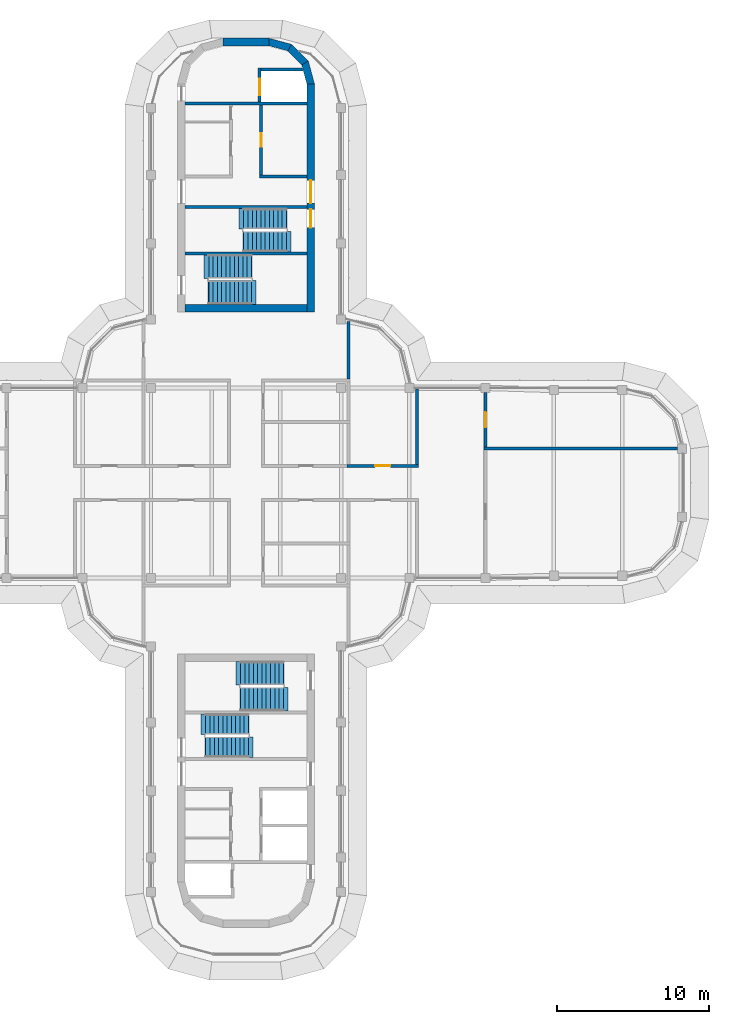
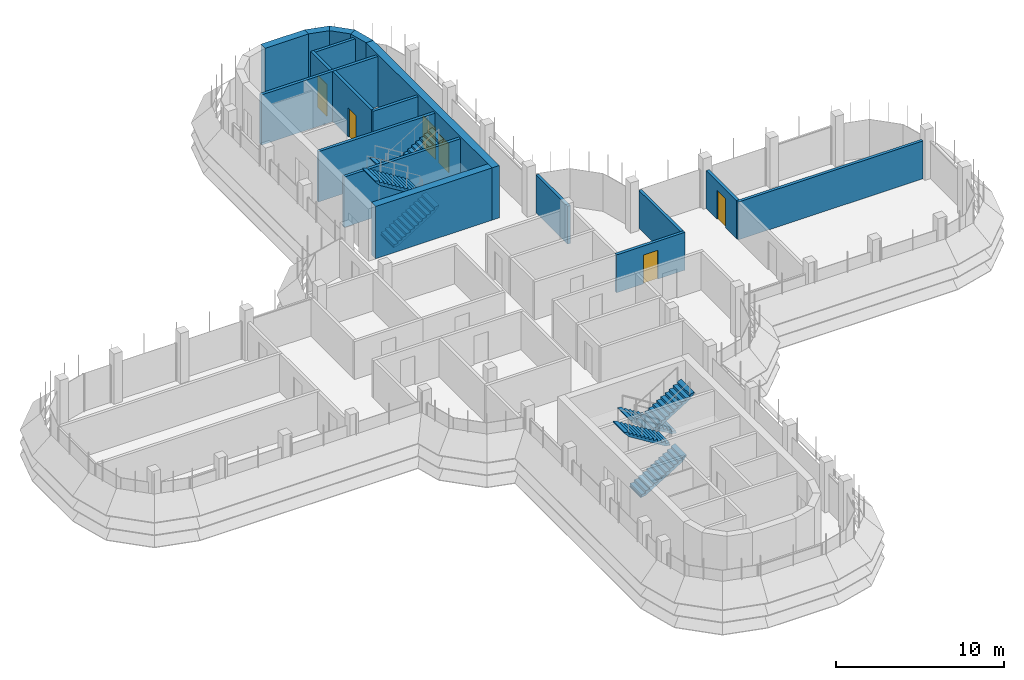
# One storey, part 15 of 19: 18 walls, 8 stair flights, 6 doors, 6 openings, 4 elements without a shape of their own.
"""IFC4 building model written with IfcOpenShell, lengths in metres."""

from ifc_helpers import new_model, si_unit, direction, frame, frame_2d, origin, place, context, subcontext, project, spatial, polyline, rectangle, outline, extrude, material, layer, layer_set, type_object, element, fill, aggregate, save


model = new_model("IFC4")

# Units and contexts
model_context = context("Model", 3, precision=1e-05, world=origin(), true_north=direction((0.0, 1.0)))
body_context = subcontext(model_context, "Body", "Model", "MODEL_VIEW")
ifc_project = project(units=[si_unit("LENGTHUNIT", "METRE"), si_unit("AREAUNIT", "SQUARE_METRE"), si_unit("VOLUMEUNIT", "CUBIC_METRE"), si_unit("PLANEANGLEUNIT", "RADIAN"), si_unit("MASSUNIT", "GRAM", prefix="KILO")], contexts=[model_context])

# Site, building, storey
site_placement = place(None, origin())
site = spatial("IfcSite", under=ifc_project, at=site_placement, CompositionType="ELEMENT")
building_placement = place(site_placement, origin())
building = spatial("IfcBuilding", under=site, at=building_placement, Name="Zarbagh Exchange Tower", CompositionType="ELEMENT")
storey_placement = place(building_placement, frame((0.0, 0.0, 265.0)))
storey = spatial("IfcBuildingStorey", under=building, at=storey_placement, Name="L65", CompositionType="ELEMENT", Elevation=265.0)

# Wall, opening, door
ifc_material_1 = material(Name="Fire-rated plasterboard partition")
ifc_layer_1 = layer(ifc_material_1, 0.199951171875)
ifc_layer_set_1 = layer_set([ifc_layer_1], Name="RATED PARTITION 200")
wall_type_1 = type_object("IfcWallType", Name="RATED PARTITION 200", PredefinedType="PARTITIONING", material=ifc_layer_set_1)
wall_1_placement = place(storey_placement, frame((6.64990234375, 1.125, 0.0), z_axis=(0.0, 0.0, 1.0), x_axis=(1.0, 0.0, 0.0)))
wall_1 = element("IfcWall", 1, at=wall_1_placement, inside=storey, type_object=wall_type_1, Name="Partition W-2802", PredefinedType="PARTITIONING", context=body_context, shape_type="SweptSolid", body=[
    extrude(rectangle(XDim=4.7001953125, YDim=0.199951171875, at=frame_2d((2.35009765625, 0.0))), origin(), (0.0, 0.0, 1.0), 2.75),
])
opening_1_placement = place(wall_1_placement, frame((1.85009765625, 0.0, 0.0)))
opening_1 = element("IfcOpeningElement", 2, at=opening_1_placement, cuts=wall_1, Name="Opening D-2805", PredefinedType="OPENING", context=body_context, shape_type="SweptSolid", body=[
    extrude(rectangle(XDim=1.0, YDim=2.10009765625, at=frame_2d((0.5, 1.050048828125))), frame((0.0, 0.10986328125, 0.0), z_axis=(0.0, -1.0, 0.0), x_axis=(1.0, 0.0, 0.0)), (0.0, 0.0, 1.0), 0.219970703125),
])
ifc_material_2 = material(Name="Steel door set", Category="steel")
door_type_1 = type_object("IfcDoorType", Name="FIRE DOOR 1000 X 2100 FD30S", OperationType="NOTDEFINED", PredefinedType="DOOR", material=ifc_material_2)
door_1_placement = place(opening_1_placement, origin())
door_1 = element("IfcDoor", 3, at=door_1_placement, inside=storey, type_object=door_type_1, Name="Door D-2805", OperationType="SINGLE_SWING_RIGHT", OverallHeight=2.10009765625, OverallWidth=1.0, PredefinedType="DOOR", context=body_context, shape_type="SweptSolid", body=[
    extrude(rectangle(XDim=1.0, YDim=2.10009765625, at=frame_2d((0.5, 1.050048828125))), frame((0.0, 0.02490234375, 0.0), z_axis=(0.0, -1.0, 0.0), x_axis=(1.0, 0.0, 0.0)), (0.0, 0.0, 1.0), 0.050048828125),
])
fill(opening_1, door_1)

# Walls
wall_2_placement = place(storey_placement, frame((6.75, 6.85009765625, 0.0), z_axis=(0.0, 0.0, 1.0), x_axis=(0.0, 1.0, 0.0)))
element("IfcWall", 4, at=wall_2_placement, inside=storey, type_object=wall_type_1, Name="Partition W-2816", PredefinedType="PARTITIONING", context=body_context, shape_type="SweptSolid", body=[
    extrude(rectangle(XDim=3.77978515625, YDim=0.199951171875, at=frame_2d((1.889892578125, 0.0))), origin(), (0.0, 0.0, 1.0), 2.75),
])
wall_3_placement = place(storey_placement, frame((11.25, 1.22509765625, 0.0), z_axis=(0.0, 0.0, 1.0), x_axis=(0.0, 1.0, 0.0)))
element("IfcWall", 5, at=wall_3_placement, inside=storey, type_object=wall_type_1, Name="Partition W-2826", PredefinedType="PARTITIONING", context=body_context, shape_type="SweptSolid", body=[
    extrude(rectangle(XDim=4.94482421875, YDim=0.199951171875, at=frame_2d((2.472412109375, 0.0))), origin(), (0.0, 0.0, 1.0), 2.75),
])

# Wall, opening, door
wall_4_placement = place(storey_placement, frame((15.75, 5.949951171875, 0.0), z_axis=(0.0, 0.0, 1.0), x_axis=(0.0, -1.0, 0.0)))
wall_4 = element("IfcWall", 6, at=wall_4_placement, inside=storey, type_object=wall_type_1, Name="Partition W-2837", PredefinedType="PARTITIONING", context=body_context, shape_type="SweptSolid", body=[
    extrude(rectangle(XDim=3.599853515625, YDim=0.199951171875, at=frame_2d((1.7998046875, 0.0))), origin(), (0.0, 0.0, 1.0), 2.75),
])
opening_2_placement = place(wall_4_placement, frame((1.300048828125, 0.0, 0.0)))
opening_2 = element("IfcOpeningElement", 7, at=opening_2_placement, cuts=wall_4, Name="Opening D-2802", PredefinedType="OPENING", context=body_context, shape_type="SweptSolid", body=[
    extrude(rectangle(XDim=1.0, YDim=2.10009765625, at=frame_2d((0.5, 1.050048828125))), frame((0.0, 0.10986328125, 0.0), z_axis=(0.0, -1.0, 0.0), x_axis=(1.0, 0.0, 0.0)), (0.0, 0.0, 1.0), 0.219970703125),
])
door_2_placement = place(opening_2_placement, origin())
door_2 = element("IfcDoor", 8, at=door_2_placement, inside=storey, type_object=door_type_1, Name="Door D-2802", OperationType="SINGLE_SWING_LEFT", OverallHeight=2.10009765625, OverallWidth=1.0, PredefinedType="DOOR", context=body_context, shape_type="SweptSolid", body=[
    extrude(rectangle(XDim=1.0, YDim=2.10009765625, at=frame_2d((0.5, 1.050048828125))), frame((0.0, 0.02490234375, 0.0), z_axis=(0.0, -1.0, 0.0), x_axis=(1.0, 0.0, 0.0)), (0.0, 0.0, 1.0), 0.050048828125),
])
fill(opening_2, door_2)

# Walls
wall_5_placement = place(storey_placement, frame((15.64990234375, 2.25, 0.0), z_axis=(0.0, 0.0, 1.0), x_axis=(1.0, 0.0, 0.0)))
element("IfcWall", 9, at=wall_5_placement, inside=storey, type_object=wall_type_1, Name="Partition W-2838", PredefinedType="PARTITIONING", context=body_context, shape_type="SweptSolid", body=[
    extrude(rectangle(XDim=12.72021484375, YDim=0.199951171875, at=frame_2d((6.360107421875, 0.0))), origin(), (0.0, 0.0, 1.0), 2.75),
])
ifc_material_3 = material(Name="Concrete C40/50", Category="concrete")
ifc_layer_2 = layer(ifc_material_3, 0.5)
ifc_layer_set_2 = layer_set([ifc_layer_2], Name="RC core corner wall 500 C40/50")
wall_type_2 = type_object("IfcWallType", Name="RC core corner wall 500 C40/50", PredefinedType="SHEAR", material=ifc_layer_set_2)
wall_6_placement = place(storey_placement, origin())
element("IfcWall", 10, at=wall_6_placement, inside=storey, type_object=wall_type_2, Name="CW10 core N corner E", PredefinedType="SHEAR", context=body_context, shape_type="SweptSolid", body=[
    extrude(outline(polyline([(4.5, 26.25), (4.09814453125, 27.75), (3.6650390625, 27.5), (4.0, 26.25), (4.5, 26.25)])), origin(), (0.0, 0.0, 1.0), 3.800048828125),
])
wall_7_placement = place(storey_placement, origin())
element("IfcWall", 11, at=wall_7_placement, inside=storey, type_object=wall_type_2, Name="CW10 core N corner E", PredefinedType="SHEAR", context=body_context, shape_type="SweptSolid", body=[
    extrude(outline(polyline([(4.09814453125, 27.75), (3.0, 28.84814453125), (2.75, 28.4150390625), (3.6650390625, 27.5), (4.09814453125, 27.75)])), origin(), (0.0, 0.0, 1.0), 3.800048828125),
])
wall_8_placement = place(storey_placement, origin())
element("IfcWall", 12, at=wall_8_placement, inside=storey, type_object=wall_type_2, Name="CW10 core N corner E", PredefinedType="SHEAR", context=body_context, shape_type="SweptSolid", body=[
    extrude(outline(polyline([(3.0, 28.84814453125), (1.5, 29.25), (1.5, 28.75), (2.75, 28.4150390625), (3.0, 28.84814453125)])), origin(), (0.0, 0.0, 1.0), 3.800048828125),
])

# Wall, openings, doors
ifc_layer_3 = layer(ifc_material_3, 0.5)
ifc_layer_set_3 = layer_set([ifc_layer_3], Name="RC core wall 500 C40/50")
wall_type_3 = type_object("IfcWallType", Name="RC core wall 500 C40/50", PredefinedType="SHEAR", material=ifc_layer_set_3)
wall_9_placement = place(storey_placement, frame((4.25, 11.25, 0.0), z_axis=(0.0, 0.0, 1.0), x_axis=(0.0, 1.0, 0.0)))
wall_9 = element("IfcWall", 13, at=wall_9_placement, inside=storey, type_object=wall_type_3, Name="CW9 core N E", PredefinedType="SHEAR", context=body_context, shape_type="SweptSolid", body=[
    extrude(rectangle(XDim=15.0, YDim=0.5, at=frame_2d((7.5, 0.0))), origin(), (0.0, 0.0, 1.0), 3.800048828125),
])
opening_3_placement = place(wall_9_placement, frame((7.14990234375, 0.0, 0.0)))
opening_3 = element("IfcOpeningElement", 14, at=opening_3_placement, cuts=wall_9, Name="Opening CD1-1500", PredefinedType="OPENING", context=body_context, shape_type="SweptSolid", body=[
    extrude(rectangle(XDim=1.5, YDim=2.300048828125, at=frame_2d((0.75, 1.14990234375))), frame((0.0, 0.260009765625, 0.0), z_axis=(0.0, -1.0, 0.0), x_axis=(1.0, 0.0, 0.0)), (0.0, 0.0, 1.0), 0.52001953125),
])
opening_4_placement = place(wall_9_placement, frame((5.550048828125, 0.0, 0.0)))
opening_4 = element("IfcOpeningElement", 15, at=opening_4_placement, cuts=wall_9, Name="Opening SD1-1200", PredefinedType="OPENING", context=body_context, shape_type="SweptSolid", body=[
    extrude(rectangle(XDim=1.199951171875, YDim=2.10009765625, at=frame_2d((0.60009765625, 1.050048828125))), frame((0.0, 0.260009765625, 0.0), z_axis=(0.0, -1.0, 0.0), x_axis=(1.0, 0.0, 0.0)), (0.0, 0.0, 1.0), 0.52001953125),
])
ifc_material_4 = material(Name="Steel", Category="steel")
door_type_2 = type_object("IfcDoorType", Name="Exit stair door 1200 x 2100", OperationType="NOTDEFINED", PredefinedType="DOOR", material=ifc_material_4)
door_3_placement = place(opening_4_placement, origin())
door_3 = element("IfcDoor", 16, at=door_3_placement, inside=storey, type_object=door_type_2, Name="North core stair door ST1", OperationType="SINGLE_SWING_RIGHT", OverallHeight=2.10009765625, OverallWidth=1.199951171875, PredefinedType="DOOR", context=body_context, shape_type="SweptSolid", body=[
    extrude(rectangle(XDim=1.199951171875, YDim=2.10009765625, at=frame_2d((0.60009765625, 1.050048828125))), frame((0.0, 0.02490234375, 0.0), z_axis=(0.0, -1.0, 0.0), x_axis=(1.0, 0.0, 0.0)), (0.0, 0.0, 1.0), 0.050048828125),
])
fill(opening_4, door_3)
door_type_3 = type_object("IfcDoorType", Name="Lift lobby double door 1500 x 2300", OperationType="NOTDEFINED", PredefinedType="DOOR", material=ifc_material_4)
door_4_placement = place(opening_3_placement, origin())
door_4 = element("IfcDoor", 17, at=door_4_placement, inside=storey, type_object=door_type_3, Name="North core lift lobby door LOBBY-E", OperationType="DOUBLE_DOOR_SINGLE_SWING", OverallHeight=2.300048828125, OverallWidth=1.5, PredefinedType="DOOR", context=body_context, shape_type="SweptSolid", body=[
    extrude(rectangle(XDim=1.5, YDim=2.300048828125, at=frame_2d((0.75, 1.14990234375))), frame((0.0, 0.02490234375, 0.0), z_axis=(0.0, -1.0, 0.0), x_axis=(1.0, 0.0, 0.0)), (0.0, 0.0, 1.0), 0.050048828125),
])
fill(opening_3, door_4)

# Walls
wall_10_placement = place(storey_placement, frame((-4.0, 11.5, 0.0), z_axis=(0.0, 0.0, 1.0), x_axis=(1.0, 0.0, 0.0)))
element("IfcWall", 18, at=wall_10_placement, inside=storey, type_object=wall_type_3, Name="CW9 core N inner end", PredefinedType="SHEAR", context=body_context, shape_type="SweptSolid", body=[
    extrude(rectangle(XDim=8.0, YDim=0.5, at=frame_2d((4.0, 0.0))), origin(), (0.0, 0.0, 1.0), 3.800048828125),
])
wall_11_placement = place(storey_placement, frame((-1.5, 29.0, 0.0), z_axis=(0.0, 0.0, 1.0), x_axis=(1.0, 0.0, 0.0)))
element("IfcWall", 19, at=wall_11_placement, inside=storey, type_object=wall_type_3, Name="CW9 core N outer end", PredefinedType="SHEAR", context=body_context, shape_type="SweptSolid", body=[
    extrude(rectangle(XDim=3.0, YDim=0.5, at=frame_2d((1.5, 0.0))), origin(), (0.0, 0.0, 1.0), 3.800048828125),
])
ifc_material_5 = material(Name="Dense blockwork", Category="masonry")
ifc_layer_4 = layer(ifc_material_5, 0.199951171875)
ifc_layer_set_4 = layer_set([ifc_layer_4], Name="Shaft wall 200 mm blockwork")
wall_type_4 = type_object("IfcWallType", Name="Shaft wall 200 mm blockwork", PredefinedType="PARTITIONING", material=ifc_layer_set_4)
wall_12_placement = place(storey_placement, frame((0.89990234375, 20.14990234375, 0.0), z_axis=(0.0, 0.0, 1.0), x_axis=(1.0, 0.0, 0.0)))
element("IfcWall", 20, at=wall_12_placement, inside=storey, type_object=wall_type_4, Name="North core shaft wall AB-E", PredefinedType="PARTITIONING", context=body_context, shape_type="SweptSolid", body=[
    extrude(rectangle(XDim=3.10009765625, YDim=0.199951171875, at=frame_2d((1.550048828125, 0.0))), origin(), (0.0, 0.0, 1.0), 3.64990234375),
])

# Wall, opening, door
wall_13_placement = place(storey_placement, frame((1.0, 24.85009765625, 0.0), z_axis=(0.0, 0.0, 1.0), x_axis=(0.0, -1.0, 0.0)))
wall_13 = element("IfcWall", 21, at=wall_13_placement, inside=storey, type_object=wall_type_4, Name="North core shaft wall LW-E", PredefinedType="PARTITIONING", context=body_context, shape_type="SweptSolid", body=[
    extrude(rectangle(XDim=4.60009765625, YDim=0.199951171875, at=frame_2d((2.300048828125, 0.0))), origin(), (0.0, 0.0, 1.0), 3.64990234375),
])
opening_5_placement = place(wall_13_placement, frame((1.85009765625, 0.0, 0.0)))
opening_5 = element("IfcOpeningElement", 22, at=opening_5_placement, cuts=wall_13, Name="Opening CD3-900", PredefinedType="OPENING", context=body_context, shape_type="SweptSolid", body=[
    extrude(rectangle(XDim=0.89990234375, YDim=2.10009765625, at=frame_2d((0.449951171875, 1.050048828125))), frame((0.0, 0.10986328125, 0.0), z_axis=(0.0, -1.0, 0.0), x_axis=(1.0, 0.0, 0.0)), (0.0, 0.0, 1.0), 0.219970703125),
])
door_type_4 = type_object("IfcDoorType", Name="Core room door 900 x 2100", OperationType="NOTDEFINED", PredefinedType="DOOR", material=ifc_material_4)
door_5_placement = place(opening_5_placement, origin())
door_5 = element("IfcDoor", 23, at=door_5_placement, inside=storey, type_object=door_type_4, Name="North core Riser store door RD-E-0", OperationType="SINGLE_SWING_LEFT", OverallHeight=2.10009765625, OverallWidth=0.89990234375, PredefinedType="DOOR", context=body_context, shape_type="SweptSolid", body=[
    extrude(rectangle(XDim=0.89990234375, YDim=2.10009765625, at=frame_2d((0.449951171875, 1.050048828125))), frame((0.0, 0.02490234375, 0.0), z_axis=(0.0, -1.0, 0.0), x_axis=(1.0, 0.0, 0.0)), (0.0, 0.0, 1.0), 0.050048828125),
])
fill(opening_5, door_5)

# Wall
ifc_layer_5 = layer(ifc_material_3, 0.199951171875)
ifc_layer_set_5 = layer_set([ifc_layer_5], Name="Stair enclosure wall 200 mm RC C40/50")
wall_type_5 = type_object("IfcWallType", Name="Stair enclosure wall 200 mm RC C40/50", PredefinedType="SHEAR", material=ifc_layer_set_5)
wall_14_placement = place(storey_placement, frame((-4.0, 24.949951171875, 0.0), z_axis=(0.0, 0.0, 1.0), x_axis=(1.0, 0.0, 0.0)))
element("IfcWall", 24, at=wall_14_placement, inside=storey, type_object=wall_type_5, Name="North core lift shaft wall FFA", PredefinedType="SHEAR", context=body_context, shape_type="SweptSolid", body=[
    extrude(rectangle(XDim=8.0, YDim=0.199951171875, at=frame_2d((4.0, 0.0))), origin(), (0.0, 0.0, 1.0), 3.64990234375),
])

# Wall, opening, door
wall_15_placement = place(storey_placement, frame((0.89990234375, 27.300048828125, 0.0), z_axis=(0.0, 0.0, 1.0), x_axis=(0.0, -1.0, 0.0)))
wall_15 = element("IfcWall", 25, at=wall_15_placement, inside=storey, type_object=wall_type_5, Name="North core lift shaft wall FFL", PredefinedType="SHEAR", context=body_context, shape_type="SweptSolid", body=[
    extrude(rectangle(XDim=2.25, YDim=0.199951171875, at=frame_2d((1.125, 0.0))), origin(), (0.0, 0.0, 1.0), 3.64990234375),
])
opening_6_placement = place(wall_15_placement, frame((0.699951171875, 0.0, 0.0)))
opening_6 = element("IfcOpeningElement", 26, at=opening_6_placement, cuts=wall_15, Name="Opening LD-1100", PredefinedType="OPENING", context=body_context, shape_type="SweptSolid", body=[
    extrude(rectangle(XDim=1.10009765625, YDim=2.300048828125, at=frame_2d((0.550048828125, 1.14990234375))), frame((0.0, 0.10986328125, 0.0), z_axis=(0.0, -1.0, 0.0), x_axis=(1.0, 0.0, 0.0)), (0.0, 0.0, 1.0), 0.219970703125),
])
ifc_material_6 = material(Name="Stainless steel", Category="steel")
door_type_5 = type_object("IfcDoorType", Name="Lift landing door 1100 x 2300", OperationType="NOTDEFINED", PredefinedType="DOOR", material=ifc_material_6)
door_6_placement = place(opening_6_placement, origin())
door_6 = element("IfcDoor", 27, at=door_6_placement, inside=storey, type_object=door_type_5, Name="North core lift landing door LD-F", OperationType="DOUBLE_DOOR_SLIDING", OverallHeight=2.300048828125, OverallWidth=1.10009765625, PredefinedType="DOOR", context=body_context, shape_type="SweptSolid", body=[
    extrude(rectangle(XDim=1.10009765625, YDim=2.300048828125, at=frame_2d((0.550048828125, 1.14990234375))), frame((0.0, 0.02490234375, 0.0), z_axis=(0.0, -1.0, 0.0), x_axis=(1.0, 0.0, 0.0)), (0.0, 0.0, 1.0), 0.050048828125),
])
fill(opening_6, door_6)

# Walls
wall_16_placement = place(storey_placement, origin())
element("IfcWall", 28, at=wall_16_placement, inside=storey, type_object=wall_type_5, Name="North core lift shaft wall FFX", PredefinedType="SHEAR", context=body_context, shape_type="SweptSolid", body=[
    extrude(outline(polyline([(1.0, 27.10009765625), (3.754638671875, 27.10009765625), (3.700927734375, 27.300048828125), (1.0, 27.300048828125), (1.0, 27.10009765625)])), origin(), (0.0, 0.0, 1.0), 3.64990234375),
])
for number, where, z_axis, x_axis, name in (
    (29, (-4.0, 18.14990234375, 0.0), (0.0, 0.0, 1.0), (1.0, 0.0, 0.0), "North core stair wall BS"),
    (30, (-4.0, 15.10009765625, 0.0), (0.0, 0.0, 1.0), (1.0, 0.0, 0.0), "North core stair wall ST12"),
):
    element("IfcWall", number, at=place(storey_placement, frame(where, z_axis=z_axis, x_axis=x_axis)), inside=storey, type_object=wall_type_5, Name=name, PredefinedType="SHEAR", context=body_context, shape_type="SweptSolid", body=[
        extrude(rectangle(XDim=8.0, YDim=0.199951171875, at=frame_2d((4.0, 0.0))), origin(), (0.0, 0.0, 1.0), 3.64990234375),
    ])

# Stair, stair flights
stair_type = type_object("IfcStairType", Name="Exit stair two-flight half-turn", PredefinedType="HALF_TURN_STAIR", material=ifc_material_3)
stair_1_placement = place(storey_placement, origin())
stair_1 = element("IfcStair", 31, at=stair_1_placement, inside=storey, type_object=stair_type, Name="exit stair ST1", PredefinedType="HALF_TURN_STAIR")
stair_flight_type_1 = type_object("IfcStairFlightType", Name="Stair flight 1350 mm", PredefinedType="STRAIGHT", material=ifc_material_3)
stair_flight_1_placement = place(storey_placement, frame((2.64990234375, 17.375, 0.0), z_axis=(0.0, 0.0, 1.0), x_axis=(-1.0, 0.0, 0.0)))
stair_flight_1 = element("IfcStairFlight", 32, at=stair_flight_1_placement, type_object=stair_flight_type_1, Name="ST1 flight 1", NumberOfRisers=11, NumberOfTreads=10, PredefinedType="STRAIGHT", RiserHeight=0.172727273, TreadLength=0.28, context=body_context, shape_type="SweptSolid", body=[
    extrude(outline(polyline([(-0.050048828125, -0.050048828125), (-0.050048828125, 0.0), (0.0, 0.0), (0.0, 0.172607421875), (0.280029296875, 0.172607421875), (0.280029296875, 0.345458984375), (0.56005859375, 0.345458984375), (0.56005859375, 0.51806640625), (0.840087890625, 0.51806640625), (0.840087890625, 0.69091796875), (1.1201171875, 0.69091796875), (1.1201171875, 0.863525390625), (1.39990234375, 0.863525390625), (1.39990234375, 1.036376953125), (1.679931640625, 1.036376953125), (1.679931640625, 1.208984375), (1.9599609375, 1.208984375), (1.9599609375, 1.3818359375), (2.239990234375, 1.3818359375), (2.239990234375, 1.554443359375), (2.52001953125, 1.554443359375), (2.52001953125, 1.727294921875), (2.800048828125, 1.727294921875), (2.800048828125, 1.89990234375), (3.10009765625, 1.97998046875), (3.10009765625, 1.89990234375), (2.800048828125, 1.551025390625), (0.285400390625, 0.0), (-0.050048828125, -0.050048828125)])), frame((0.0, 0.675048828125, 0.0), z_axis=(0.0, -1.0, 0.0), x_axis=(1.0, 0.0, 0.0)), (0.0, 0.0, 1.0), 1.35009765625),
])
stair_flight_2_placement = place(storey_placement, frame((-0.14990234375, 15.875, 1.89990234375), z_axis=(0.0, 0.0, 1.0), x_axis=(1.0, 0.0, 0.0)))
stair_flight_2 = element("IfcStairFlight", 33, at=stair_flight_2_placement, type_object=stair_flight_type_1, Name="ST1 flight 2", NumberOfRisers=11, NumberOfTreads=10, PredefinedType="STRAIGHT", RiserHeight=0.172727273, TreadLength=0.28, context=body_context, shape_type="SweptSolid", body=[
    extrude(outline(polyline([(-0.050048828125, -0.050048828125), (-0.050048828125, 0.0), (0.0, 0.0), (0.0, 0.172607421875), (0.280029296875, 0.172607421875), (0.280029296875, 0.345458984375), (0.56005859375, 0.345458984375), (0.56005859375, 0.51806640625), (0.840087890625, 0.51806640625), (0.840087890625, 0.69091796875), (1.1201171875, 0.69091796875), (1.1201171875, 0.863525390625), (1.39990234375, 0.863525390625), (1.39990234375, 1.036376953125), (1.679931640625, 1.036376953125), (1.679931640625, 1.208984375), (1.9599609375, 1.208984375), (1.9599609375, 1.3818359375), (2.239990234375, 1.3818359375), (2.239990234375, 1.554443359375), (2.52001953125, 1.554443359375), (2.52001953125, 1.727294921875), (2.800048828125, 1.727294921875), (2.800048828125, 1.89990234375), (3.10009765625, 1.97998046875), (3.10009765625, 1.89990234375), (2.800048828125, 1.551025390625), (0.285400390625, 0.0), (-0.050048828125, -0.050048828125)])), frame((0.0, 0.675048828125, 0.0), z_axis=(0.0, -1.0, 0.0), x_axis=(1.0, 0.0, 0.0)), (0.0, 0.0, 1.0), 1.35009765625),
])
aggregate(stair_1, [stair_flight_1, stair_flight_2])

stair_2_placement = place(storey_placement, origin())
stair_2 = element("IfcStair", 34, at=stair_2_placement, inside=storey, type_object=stair_type, Name="exit stair ST3", PredefinedType="HALF_TURN_STAIR")
stair_flight_3_placement = place(storey_placement, frame((-2.64990234375, -17.375, 0.0), z_axis=(0.0, 0.0, 1.0), x_axis=(1.0, 0.0, 0.0)))
stair_flight_3 = element("IfcStairFlight", 35, at=stair_flight_3_placement, type_object=stair_flight_type_1, Name="ST3 flight 1", NumberOfRisers=11, NumberOfTreads=10, PredefinedType="STRAIGHT", RiserHeight=0.172727273, TreadLength=0.28, context=body_context, shape_type="SweptSolid", body=[
    extrude(outline(polyline([(-0.050048828125, -0.050048828125), (-0.050048828125, 0.0), (0.0, 0.0), (0.0, 0.172607421875), (0.280029296875, 0.172607421875), (0.280029296875, 0.345458984375), (0.56005859375, 0.345458984375), (0.56005859375, 0.51806640625), (0.840087890625, 0.51806640625), (0.840087890625, 0.69091796875), (1.1201171875, 0.69091796875), (1.1201171875, 0.863525390625), (1.39990234375, 0.863525390625), (1.39990234375, 1.036376953125), (1.679931640625, 1.036376953125), (1.679931640625, 1.208984375), (1.9599609375, 1.208984375), (1.9599609375, 1.3818359375), (2.239990234375, 1.3818359375), (2.239990234375, 1.554443359375), (2.52001953125, 1.554443359375), (2.52001953125, 1.727294921875), (2.800048828125, 1.727294921875), (2.800048828125, 1.89990234375), (3.10009765625, 1.97998046875), (3.10009765625, 1.89990234375), (2.800048828125, 1.551025390625), (0.285400390625, 0.0), (-0.050048828125, -0.050048828125)])), frame((0.0, 0.675048828125, 0.0), z_axis=(0.0, -1.0, 0.0), x_axis=(1.0, 0.0, 0.0)), (0.0, 0.0, 1.0), 1.35009765625),
])
stair_flight_4_placement = place(storey_placement, frame((0.14990234375, -15.875, 1.89990234375), z_axis=(0.0, 0.0, 1.0), x_axis=(-1.0, 0.0, 0.0)))
stair_flight_4 = element("IfcStairFlight", 36, at=stair_flight_4_placement, type_object=stair_flight_type_1, Name="ST3 flight 2", NumberOfRisers=11, NumberOfTreads=10, PredefinedType="STRAIGHT", RiserHeight=0.172727273, TreadLength=0.28, context=body_context, shape_type="SweptSolid", body=[
    extrude(outline(polyline([(-0.050048828125, -0.050048828125), (-0.050048828125, 0.0), (0.0, 0.0), (0.0, 0.172607421875), (0.280029296875, 0.172607421875), (0.280029296875, 0.345458984375), (0.56005859375, 0.345458984375), (0.56005859375, 0.51806640625), (0.840087890625, 0.51806640625), (0.840087890625, 0.69091796875), (1.1201171875, 0.69091796875), (1.1201171875, 0.863525390625), (1.39990234375, 0.863525390625), (1.39990234375, 1.036376953125), (1.679931640625, 1.036376953125), (1.679931640625, 1.208984375), (1.9599609375, 1.208984375), (1.9599609375, 1.3818359375), (2.239990234375, 1.3818359375), (2.239990234375, 1.554443359375), (2.52001953125, 1.554443359375), (2.52001953125, 1.727294921875), (2.800048828125, 1.727294921875), (2.800048828125, 1.89990234375), (3.10009765625, 1.97998046875), (3.10009765625, 1.89990234375), (2.800048828125, 1.551025390625), (0.285400390625, 0.0), (-0.050048828125, -0.050048828125)])), frame((0.0, 0.675048828125, 0.0), z_axis=(0.0, -1.0, 0.0), x_axis=(1.0, 0.0, 0.0)), (0.0, 0.0, 1.0), 1.35009765625),
])
aggregate(stair_2, [stair_flight_3, stair_flight_4])

stair_3_placement = place(storey_placement, origin())
stair_3 = element("IfcStair", 37, at=stair_3_placement, inside=storey, type_object=stair_type, Name="exit stair ST2", PredefinedType="HALF_TURN_STAIR")
stair_flight_type_2 = type_object("IfcStairFlightType", Name="Stair flight 1550 mm", PredefinedType="STRAIGHT", material=ifc_material_3)
stair_flight_5_placement = place(storey_placement, frame((-2.449951171875, 12.52490234375, 0.0), z_axis=(0.0, 0.0, 1.0), x_axis=(1.0, 0.0, 0.0)))
stair_flight_5 = element("IfcStairFlight", 38, at=stair_flight_5_placement, type_object=stair_flight_type_2, Name="ST2 flight 1", NumberOfRisers=11, NumberOfTreads=10, PredefinedType="STRAIGHT", RiserHeight=0.172727273, TreadLength=0.28, context=body_context, shape_type="SweptSolid", body=[
    extrude(outline(polyline([(-0.050048828125, -0.050048828125), (-0.050048828125, 0.0), (0.0, 0.0), (0.0, 0.172607421875), (0.280029296875, 0.172607421875), (0.280029296875, 0.345458984375), (0.56005859375, 0.345458984375), (0.56005859375, 0.51806640625), (0.840087890625, 0.51806640625), (0.840087890625, 0.69091796875), (1.1201171875, 0.69091796875), (1.1201171875, 0.863525390625), (1.39990234375, 0.863525390625), (1.39990234375, 1.036376953125), (1.679931640625, 1.036376953125), (1.679931640625, 1.208984375), (1.9599609375, 1.208984375), (1.9599609375, 1.3818359375), (2.239990234375, 1.3818359375), (2.239990234375, 1.554443359375), (2.52001953125, 1.554443359375), (2.52001953125, 1.727294921875), (2.800048828125, 1.727294921875), (2.800048828125, 1.89990234375), (3.10009765625, 1.97998046875), (3.10009765625, 1.89990234375), (2.800048828125, 1.551025390625), (0.285400390625, 0.0), (-0.050048828125, -0.050048828125)])), frame((0.0, 0.77490234375, 0.0), z_axis=(0.0, -1.0, 0.0), x_axis=(1.0, 0.0, 0.0)), (0.0, 0.0, 1.0), 1.550048828125),
])
stair_flight_6_placement = place(storey_placement, frame((0.35009765625, 14.22509765625, 1.89990234375), z_axis=(0.0, 0.0, 1.0), x_axis=(-1.0, 0.0, 0.0)))
stair_flight_6 = element("IfcStairFlight", 39, at=stair_flight_6_placement, type_object=stair_flight_type_2, Name="ST2 flight 2", NumberOfRisers=11, NumberOfTreads=10, PredefinedType="STRAIGHT", RiserHeight=0.172727273, TreadLength=0.28, context=body_context, shape_type="SweptSolid", body=[
    extrude(outline(polyline([(-0.050048828125, -0.050048828125), (-0.050048828125, 0.0), (0.0, 0.0), (0.0, 0.172607421875), (0.280029296875, 0.172607421875), (0.280029296875, 0.345458984375), (0.56005859375, 0.345458984375), (0.56005859375, 0.51806640625), (0.840087890625, 0.51806640625), (0.840087890625, 0.69091796875), (1.1201171875, 0.69091796875), (1.1201171875, 0.863525390625), (1.39990234375, 0.863525390625), (1.39990234375, 1.036376953125), (1.679931640625, 1.036376953125), (1.679931640625, 1.208984375), (1.9599609375, 1.208984375), (1.9599609375, 1.3818359375), (2.239990234375, 1.3818359375), (2.239990234375, 1.554443359375), (2.52001953125, 1.554443359375), (2.52001953125, 1.727294921875), (2.800048828125, 1.727294921875), (2.800048828125, 1.89990234375), (3.10009765625, 1.97998046875), (3.10009765625, 1.89990234375), (2.800048828125, 1.551025390625), (0.285400390625, 0.0), (-0.050048828125, -0.050048828125)])), frame((0.0, 0.77490234375, 0.0), z_axis=(0.0, -1.0, 0.0), x_axis=(1.0, 0.0, 0.0)), (0.0, 0.0, 1.0), 1.550048828125),
])
aggregate(stair_3, [stair_flight_5, stair_flight_6])

stair_4_placement = place(storey_placement, origin())
stair_4 = element("IfcStair", 40, at=stair_4_placement, inside=storey, type_object=stair_type, Name="exit stair ST4", PredefinedType="HALF_TURN_STAIR")
stair_flight_7_placement = place(storey_placement, frame((2.449951171875, -12.52490234375, 0.0), z_axis=(0.0, 0.0, 1.0), x_axis=(-1.0, 0.0, 0.0)))
stair_flight_7 = element("IfcStairFlight", 41, at=stair_flight_7_placement, type_object=stair_flight_type_2, Name="ST4 flight 1", NumberOfRisers=11, NumberOfTreads=10, PredefinedType="STRAIGHT", RiserHeight=0.172727273, TreadLength=0.28, context=body_context, shape_type="SweptSolid", body=[
    extrude(outline(polyline([(-0.050048828125, -0.050048828125), (-0.050048828125, 0.0), (0.0, 0.0), (0.0, 0.172607421875), (0.280029296875, 0.172607421875), (0.280029296875, 0.345458984375), (0.56005859375, 0.345458984375), (0.56005859375, 0.51806640625), (0.840087890625, 0.51806640625), (0.840087890625, 0.69091796875), (1.1201171875, 0.69091796875), (1.1201171875, 0.863525390625), (1.39990234375, 0.863525390625), (1.39990234375, 1.036376953125), (1.679931640625, 1.036376953125), (1.679931640625, 1.208984375), (1.9599609375, 1.208984375), (1.9599609375, 1.3818359375), (2.239990234375, 1.3818359375), (2.239990234375, 1.554443359375), (2.52001953125, 1.554443359375), (2.52001953125, 1.727294921875), (2.800048828125, 1.727294921875), (2.800048828125, 1.89990234375), (3.10009765625, 1.97998046875), (3.10009765625, 1.89990234375), (2.800048828125, 1.551025390625), (0.285400390625, 0.0), (-0.050048828125, -0.050048828125)])), frame((0.0, 0.77490234375, 0.0), z_axis=(0.0, -1.0, 0.0), x_axis=(1.0, 0.0, 0.0)), (0.0, 0.0, 1.0), 1.550048828125),
])
stair_flight_8_placement = place(storey_placement, frame((-0.35009765625, -14.22509765625, 1.89990234375), z_axis=(0.0, 0.0, 1.0), x_axis=(1.0, 0.0, 0.0)))
stair_flight_8 = element("IfcStairFlight", 42, at=stair_flight_8_placement, type_object=stair_flight_type_2, Name="ST4 flight 2", NumberOfRisers=11, NumberOfTreads=10, PredefinedType="STRAIGHT", RiserHeight=0.172727273, TreadLength=0.28, context=body_context, shape_type="SweptSolid", body=[
    extrude(outline(polyline([(-0.050048828125, -0.050048828125), (-0.050048828125, 0.0), (0.0, 0.0), (0.0, 0.172607421875), (0.280029296875, 0.172607421875), (0.280029296875, 0.345458984375), (0.56005859375, 0.345458984375), (0.56005859375, 0.51806640625), (0.840087890625, 0.51806640625), (0.840087890625, 0.69091796875), (1.1201171875, 0.69091796875), (1.1201171875, 0.863525390625), (1.39990234375, 0.863525390625), (1.39990234375, 1.036376953125), (1.679931640625, 1.036376953125), (1.679931640625, 1.208984375), (1.9599609375, 1.208984375), (1.9599609375, 1.3818359375), (2.239990234375, 1.3818359375), (2.239990234375, 1.554443359375), (2.52001953125, 1.554443359375), (2.52001953125, 1.727294921875), (2.800048828125, 1.727294921875), (2.800048828125, 1.89990234375), (3.10009765625, 1.97998046875), (3.10009765625, 1.89990234375), (2.800048828125, 1.551025390625), (0.285400390625, 0.0), (-0.050048828125, -0.050048828125)])), frame((0.0, 0.77490234375, 0.0), z_axis=(0.0, -1.0, 0.0), x_axis=(1.0, 0.0, 0.0)), (0.0, 0.0, 1.0), 1.550048828125),
])
aggregate(stair_4, [stair_flight_7, stair_flight_8])

save(model, "model.ifc")
